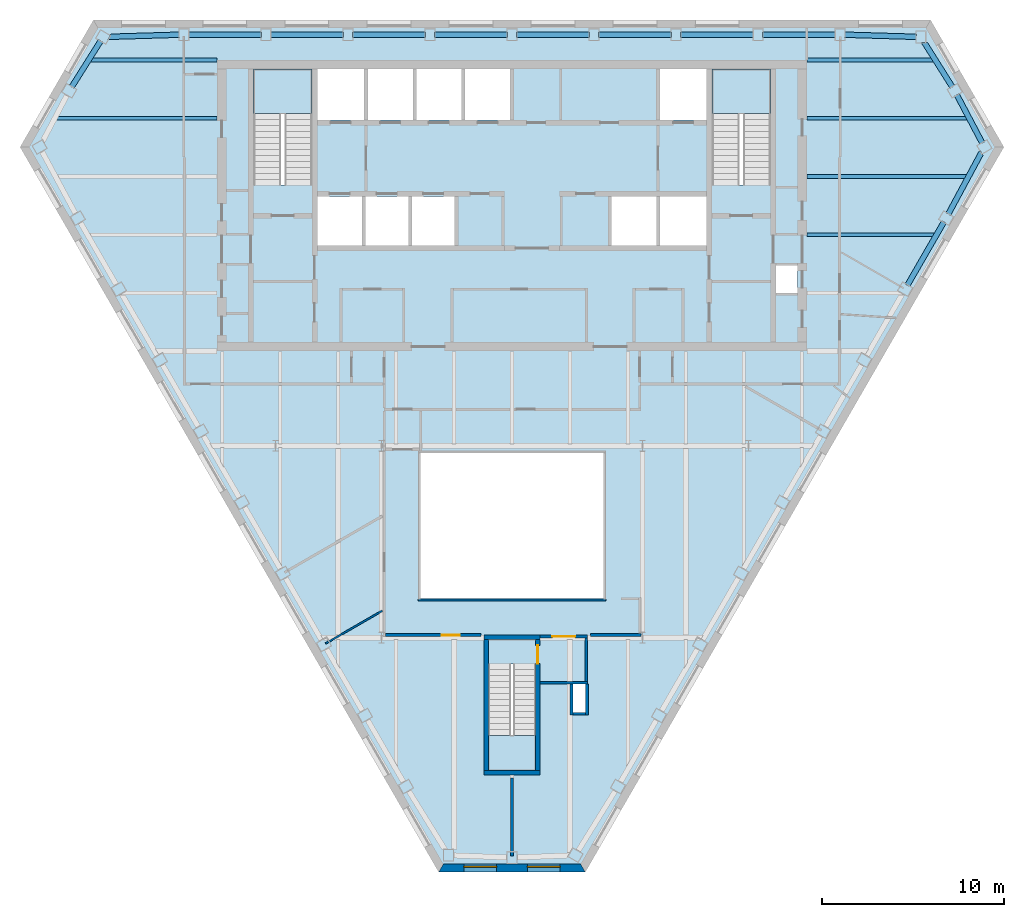
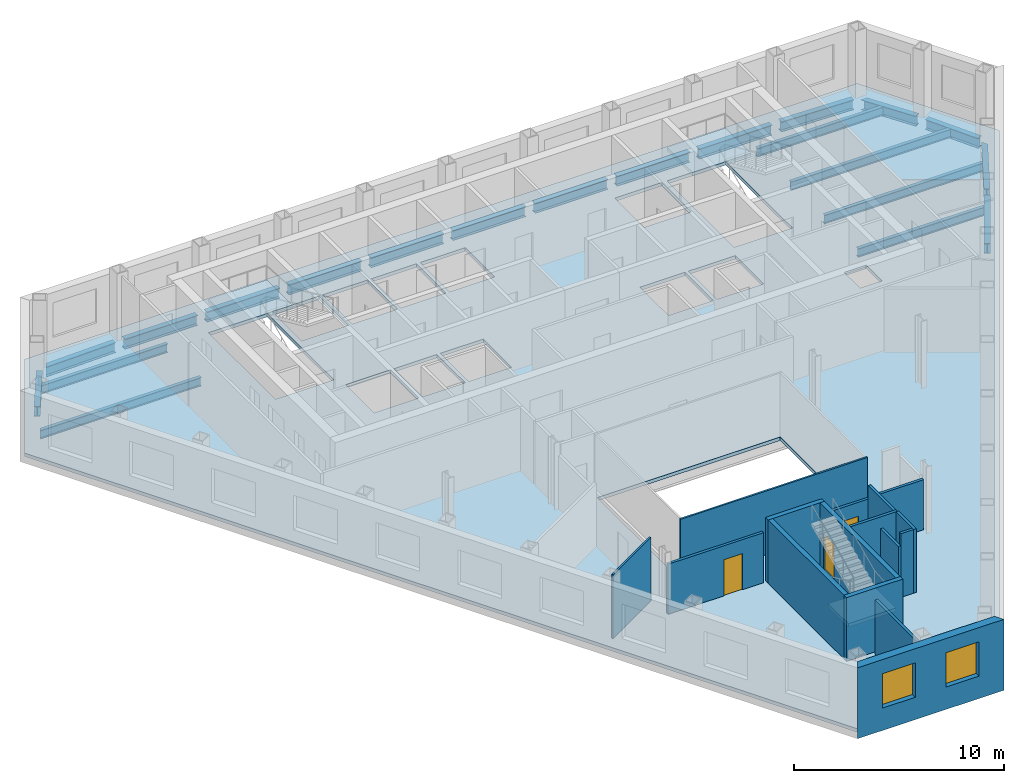
# One storey, part 3 of 11: 21 beams, 16 walls, 4 slabs, 3 doors, 2 windows, 5 openings, 3 elements without a shape of their own.
"""IFC4 building model written with IfcOpenShell, lengths in metres."""

from ifc_helpers import new_model, si_unit, direction, frame, frame_2d, origin, origin_2d, place, context, subcontext, project, spatial, polyline, rectangle, i_section, outline, extrude, clip, halfspace, material, layer, layer_set, material_profile, profile_set, type_object, element, fill, aggregate, save


model = new_model("IFC4")

# Units and contexts
model_context = context("Model", 3, precision=1e-05, world=origin(), true_north=direction((0.0, 1.0)))
body_context = subcontext(model_context, "Body", "Model", "MODEL_VIEW")
ifc_project = project(units=[si_unit("LENGTHUNIT", "METRE"), si_unit("AREAUNIT", "SQUARE_METRE"), si_unit("VOLUMEUNIT", "CUBIC_METRE"), si_unit("PLANEANGLEUNIT", "RADIAN"), si_unit("MASSUNIT", "GRAM", prefix="KILO")], contexts=[model_context])

# Site, building, storey
site_placement = place(None, origin())
site = spatial("IfcSite", under=ifc_project, at=site_placement, CompositionType="ELEMENT")
building_placement = place(site_placement, origin())
building = spatial("IfcBuilding", under=site, at=building_placement, Name="Njiva Tower", CompositionType="ELEMENT")
storey_placement = place(building_placement, frame((0.0, 0.0, 182.7)))
storey = spatial("IfcBuildingStorey", under=building, at=storey_placement, Name="L40", CompositionType="ELEMENT", Elevation=182.7)

# Beams
ifc_material_1 = material(Name="Steel S355 J2", Category="steel")
ifc_material_profile_1 = material_profile(ifc_material_1, i_section(OverallWidth=0.2, OverallDepth=0.5, WebThickness=0.0102, FlangeThickness=0.016, at=origin_2d()), Name="IPE 500")
ifc_profile_set_1 = profile_set([ifc_material_profile_1], Name="Steel S355 J2")
beam_type_1 = type_object("IfcBeamType", Name="B24 Floor beam to the core IPE 500", PredefinedType="BEAM", material=ifc_profile_set_1)
beam_1_placement = place(storey_placement, frame((16.2, 8.4, -0.45), z_axis=(1.0, 0.0, 0.0), x_axis=(0.0, 1.0, 0.0)))
element("IfcBeam", 1, at=beam_1_placement, inside=storey, type_object=beam_type_1, Name="Floor beam to the core S13-B009", PredefinedType="BEAM", context=body_context, shape_type="Clipping", body=[
    clip(extrude(i_section(OverallWidth=0.2, OverallDepth=0.5, WebThickness=0.0102, FlangeThickness=0.016, at=origin_2d()), origin(), (0.0, 0.0, 1.0), 7.091), halfspace(frame((-0.025, 0.0, 6.9986), z_axis=(-0.499998009787, 0.0, 0.866026552831), x_axis=(0.0, 1.0, 0.0)), False)),
])
beam_2_placement = place(storey_placement, frame((16.2, 11.6, -0.45), z_axis=(1.0, 0.0, 0.0), x_axis=(0.0, 1.0, 0.0)))
element("IfcBeam", 2, at=beam_2_placement, inside=storey, type_object=beam_type_1, Name="Floor beam to the core S13-B010", PredefinedType="BEAM", context=body_context, shape_type="Clipping", body=[
    clip(extrude(i_section(OverallWidth=0.2, OverallDepth=0.5, WebThickness=0.0102, FlangeThickness=0.016, at=origin_2d()), origin(), (0.0, 0.0, 1.0), 8.847), halfspace(frame((-0.0237, 0.0, 8.7598), z_axis=(-0.473777178452, 0.0, 0.88064475538), x_axis=(0.0, 1.0, 0.0)), False)),
])
beam_3_placement = place(storey_placement, frame((-25.084, 14.8, -0.45), z_axis=(1.0, 0.0, 0.0), x_axis=(0.0, 1.0, 0.0)))
element("IfcBeam", 3, at=beam_3_placement, inside=storey, type_object=beam_type_1, Name="Floor beam to the core S13-B001", PredefinedType="BEAM", context=body_context, shape_type="Clipping", body=[
    clip(extrude(i_section(OverallWidth=0.2, OverallDepth=0.5, WebThickness=0.0102, FlangeThickness=0.016, at=origin_2d()), origin(), (0.0, 0.0, 1.0), 8.884), halfspace(frame((0.0233, 0.0, 0.0855), z_axis=(0.466638905243, 0.0, -0.884447925043), x_axis=(0.0, -1.0, 0.0)), False)),
])
beam_4_placement = place(storey_placement, frame((16.2, 14.8, -0.45), z_axis=(1.0, 0.0, 0.0), x_axis=(0.0, 1.0, 0.0)))
element("IfcBeam", 4, at=beam_4_placement, inside=storey, type_object=beam_type_1, Name="Floor beam to the core S13-B011", PredefinedType="BEAM", context=body_context, shape_type="Clipping", body=[
    clip(extrude(i_section(OverallWidth=0.2, OverallDepth=0.5, WebThickness=0.0102, FlangeThickness=0.016, at=origin_2d()), origin(), (0.0, 0.0, 1.0), 8.884), halfspace(frame((0.0233, 0.0, 8.7985), z_axis=(0.466638905243, 0.0, 0.884447925043), x_axis=(0.0, 1.0, 0.0)), False)),
])
beam_5_placement = place(storey_placement, frame((-23.228, 18.0, -0.45), z_axis=(1.0, 0.0, 0.0), x_axis=(0.0, 1.0, 0.0)))
element("IfcBeam", 5, at=beam_5_placement, inside=storey, type_object=beam_type_1, Name="Floor beam to the core S13-B004", PredefinedType="BEAM", context=body_context, shape_type="Clipping", body=[
    clip(extrude(i_section(OverallWidth=0.2, OverallDepth=0.5, WebThickness=0.0102, FlangeThickness=0.016, at=origin_2d()), origin(), (0.0, 0.0, 1.0), 7.028), halfspace(frame((0.0266, 0.0, 0.0994), z_axis=(0.532629190564, 0.0, -0.846348713805), x_axis=(0.0, -1.0, 0.0)), False)),
])
beam_6_placement = place(storey_placement, frame((16.2, 18.0, -0.45), z_axis=(1.0, 0.0, 0.0), x_axis=(0.0, 1.0, 0.0)))
element("IfcBeam", 6, at=beam_6_placement, inside=storey, type_object=beam_type_1, Name="Floor beam to the core S13-B012", PredefinedType="BEAM", context=body_context, shape_type="Clipping", body=[
    clip(extrude(i_section(OverallWidth=0.2, OverallDepth=0.5, WebThickness=0.0102, FlangeThickness=0.016, at=origin_2d()), origin(), (0.0, 0.0, 1.0), 7.028), halfspace(frame((0.0266, 0.0, 6.9286), z_axis=(0.532629190564, 0.0, 0.846348713805), x_axis=(0.0, 1.0, 0.0)), False)),
])
ifc_material_profile_2 = material_profile(ifc_material_1, i_section(OverallWidth=0.3, OverallDepth=0.59, WebThickness=0.013, FlangeThickness=0.025, at=origin_2d()), Name="HEA 600")
ifc_profile_set_2 = profile_set([ifc_material_profile_2], Name="Steel S355 J2")
beam_type_2 = type_object("IfcBeamType", Name="B27 Short-span spandrel beam HEA 600", PredefinedType="SPANDREL", material=ifc_profile_set_2)
beam_7_placement = place(storey_placement, frame((22.212, 19.275, -0.495), z_axis=(-0.999555783921, 0.029803268787, 0.0), x_axis=(-0.029803268787, -0.999555783921, 0.0)))
element("IfcBeam", 7, at=beam_7_placement, inside=storey, type_object=beam_type_2, Name="Short-span spandrel beam S13-B142", PredefinedType="SPANDREL", context=body_context, shape_type="SweptSolid", body=[
    extrude(i_section(OverallWidth=0.3, OverallDepth=0.59, WebThickness=0.013, FlangeThickness=0.025, at=origin_2d()), origin(), (0.0, 0.0, 1.0), 3.9257),
])
beam_8_placement = place(storey_placement, frame((17.784, 19.4, -0.495), z_axis=(-1.0, 0.0, 0.0), x_axis=(0.0, -1.0, 0.0)))
element("IfcBeam", 8, at=beam_8_placement, inside=storey, type_object=beam_type_2, Name="Short-span spandrel beam S13-B136", PredefinedType="SPANDREL", context=body_context, shape_type="SweptSolid", body=[
    extrude(i_section(OverallWidth=0.3, OverallDepth=0.59, WebThickness=0.013, FlangeThickness=0.025, at=origin_2d()), origin(), (0.0, 0.0, 1.0), 4.008),
])
beam_9_placement = place(storey_placement, frame((13.276, 19.4, -0.495), z_axis=(-1.0, 0.0, 0.0), x_axis=(0.0, -1.0, 0.0)))
element("IfcBeam", 9, at=beam_9_placement, inside=storey, type_object=beam_type_2, Name="Short-span spandrel beam S13-B130", PredefinedType="SPANDREL", context=body_context, shape_type="SweptSolid", body=[
    extrude(i_section(OverallWidth=0.3, OverallDepth=0.59, WebThickness=0.013, FlangeThickness=0.025, at=origin_2d()), origin(), (0.0, 0.0, 1.0), 4.009),
])
beam_10_placement = place(storey_placement, frame((8.767, 19.4, -0.495), z_axis=(-1.0, 0.0, 0.0), x_axis=(0.0, -1.0, 0.0)))
element("IfcBeam", 10, at=beam_10_placement, inside=storey, type_object=beam_type_2, Name="Short-span spandrel beam S13-B124", PredefinedType="SPANDREL", context=body_context, shape_type="SweptSolid", body=[
    extrude(i_section(OverallWidth=0.3, OverallDepth=0.59, WebThickness=0.013, FlangeThickness=0.025, at=origin_2d()), origin(), (0.0, 0.0, 1.0), 4.008),
])
for number, where, z_axis, x_axis, name in (
    (11, (4.259, 19.4, -0.495), (-1.0, 0.0, 0.0), (0.0, -1.0, 0.0), "Short-span spandrel beam S13-B121"),
    (12, (-0.25, 19.4, -0.495), (-1.0, 0.0, 0.0), (0.0, -1.0, 0.0), "Short-span spandrel beam S13-B116"),
):
    element("IfcBeam", number, at=place(storey_placement, frame(where, z_axis=z_axis, x_axis=x_axis)), inside=storey, type_object=beam_type_2, Name=name, PredefinedType="SPANDREL", context=body_context, shape_type="SweptSolid", body=[
        extrude(i_section(OverallWidth=0.3, OverallDepth=0.59, WebThickness=0.013, FlangeThickness=0.025, at=origin_2d()), origin(), (0.0, 0.0, 1.0), 4.009),
    ])
beam_11_placement = place(storey_placement, frame((-4.759, 19.4, -0.495), z_axis=(-1.0, 0.0, 0.0), x_axis=(0.0, -1.0, 0.0)))
element("IfcBeam", 13, at=beam_11_placement, inside=storey, type_object=beam_type_2, Name="Short-span spandrel beam S13-B111", PredefinedType="SPANDREL", context=body_context, shape_type="SweptSolid", body=[
    extrude(i_section(OverallWidth=0.3, OverallDepth=0.59, WebThickness=0.013, FlangeThickness=0.025, at=origin_2d()), origin(), (0.0, 0.0, 1.0), 4.008),
])
beam_12_placement = place(storey_placement, frame((-9.267, 19.4, -0.495), z_axis=(-1.0, 0.0, 0.0), x_axis=(0.0, -1.0, 0.0)))
element("IfcBeam", 14, at=beam_12_placement, inside=storey, type_object=beam_type_2, Name="Short-span spandrel beam S13-B105", PredefinedType="SPANDREL", context=body_context, shape_type="SweptSolid", body=[
    extrude(i_section(OverallWidth=0.3, OverallDepth=0.59, WebThickness=0.013, FlangeThickness=0.025, at=origin_2d()), origin(), (0.0, 0.0, 1.0), 4.009),
])
beam_13_placement = place(storey_placement, frame((-13.776, 19.4, -0.495), z_axis=(-1.0, 0.0, 0.0), x_axis=(0.0, -1.0, 0.0)))
element("IfcBeam", 15, at=beam_13_placement, inside=storey, type_object=beam_type_2, Name="Short-span spandrel beam S13-B099", PredefinedType="SPANDREL", context=body_context, shape_type="SweptSolid", body=[
    extrude(i_section(OverallWidth=0.3, OverallDepth=0.59, WebThickness=0.013, FlangeThickness=0.025, at=origin_2d()), origin(), (0.0, 0.0, 1.0), 4.008),
])
beam_14_placement = place(storey_placement, frame((-18.288, 19.392, -0.495), z_axis=(-0.999548579163, -0.030043932724, 0.0), x_axis=(0.030043932724, -0.999548579163, 0.0)))
element("IfcBeam", 16, at=beam_14_placement, inside=storey, type_object=beam_type_2, Name="Short-span spandrel beam S13-B093", PredefinedType="SPANDREL", context=body_context, shape_type="Clipping", body=[
    clip(extrude(i_section(OverallWidth=0.3, OverallDepth=0.59, WebThickness=0.013, FlangeThickness=0.025, at=origin_2d()), origin(), (0.0, 0.0, 1.0), 3.9407), halfspace(frame((-0.0268, 0.0, 3.811), z_axis=(-0.525791143758, 0.0, 0.850613703832), x_axis=(0.0, 1.0, 0.0)), False)),
])
beam_15_placement = place(storey_placement, frame((-22.602, 19.051, -0.495), z_axis=(-0.532617672798, -0.846355962124, 0.0), x_axis=(0.846355962124, -0.532617672798, 0.0)))
element("IfcBeam", 17, at=beam_15_placement, inside=storey, type_object=beam_type_2, Name="Short-span spandrel beam S13-B090", PredefinedType="SPANDREL", context=body_context, shape_type="SweptSolid", body=[
    extrude(i_section(OverallWidth=0.3, OverallDepth=0.59, WebThickness=0.013, FlangeThickness=0.025, at=origin_2d()), origin(), (0.0, 0.0, 1.0), 2.9834),
])
beam_16_placement = place(storey_placement, frame((21.728, 5.628, -0.495), z_axis=(0.500003221507, 0.866023543838, 0.0), x_axis=(-0.866023543838, 0.500003221507, 0.0)))
element("IfcBeam", 18, at=beam_16_placement, inside=storey, type_object=beam_type_2, Name="Short-span spandrel beam S13-B146", PredefinedType="SPANDREL", context=body_context, shape_type="SweptSolid", body=[
    extrude(i_section(OverallWidth=0.3, OverallDepth=0.59, WebThickness=0.013, FlangeThickness=0.025, at=origin_2d()), origin(), (0.0, 0.0, 1.0), 4.008),
])
beam_17_placement = place(storey_placement, frame((23.977, 9.539, -0.495), z_axis=(0.473866139808, 0.880596889356, 0.0), x_axis=(-0.880596889356, 0.473866139808, 0.0)))
element("IfcBeam", 19, at=beam_17_placement, inside=storey, type_object=beam_type_2, Name="Short-span spandrel beam S13-B150", PredefinedType="SPANDREL", context=body_context, shape_type="Clipping", body=[
    clip(extrude(i_section(OverallWidth=0.3, OverallDepth=0.59, WebThickness=0.013, FlangeThickness=0.025, at=origin_2d()), origin(), (0.0, 0.0, 1.0), 3.9411), halfspace(frame((-0.0262, 0.0, 3.8115), z_axis=(-0.525688161714, 0.0, 0.850677351664), x_axis=(0.0, 1.0, 0.0)), False)),
])
beam_18_placement = place(storey_placement, frame((25.839, 13.445, -0.495), z_axis=(-0.466809583155, 0.884357853515, 0.0), x_axis=(-0.884357853515, -0.466809583155, 0.0)))
element("IfcBeam", 20, at=beam_18_placement, inside=storey, type_object=beam_type_2, Name="Short-span spandrel beam S13-B151", PredefinedType="SPANDREL", context=body_context, shape_type="SweptSolid", body=[
    extrude(i_section(OverallWidth=0.3, OverallDepth=0.59, WebThickness=0.013, FlangeThickness=0.025, at=origin_2d()), origin(), (0.0, 0.0, 1.0), 2.9841),
])
beam_19_placement = place(storey_placement, frame((24.191, 16.526, -0.495), z_axis=(-0.532583342935, 0.846377565173, 0.0), x_axis=(-0.846377565173, -0.532583342935, 0.0)))
element("IfcBeam", 21, at=beam_19_placement, inside=storey, type_object=beam_type_2, Name="Short-span spandrel beam S13-B147", PredefinedType="SPANDREL", context=body_context, shape_type="Clipping", body=[
    clip(extrude(i_section(OverallWidth=0.3, OverallDepth=0.59, WebThickness=0.013, FlangeThickness=0.025, at=origin_2d()), origin(), (0.0, 0.0, 1.0), 2.9981), halfspace(frame((-0.0267, 0.0, 2.8673), z_axis=(-0.532583342935, 0.0, 0.846377565173), x_axis=(0.0, 1.0, 0.0)), False)),
])

# Stair, slab
ifc_material_2 = material(Name="Concrete C40/50", Category="concrete")
stair_type_1 = type_object("IfcStairType", Name="ST4 Exit stair 1500", PredefinedType="HALF_TURN_STAIR", material=ifc_material_2)
stair_1_placement = place(storey_placement, origin())
stair_1 = element("IfcStair", 22, at=stair_1_placement, inside=storey, type_object=stair_type_1, Name="Stair A", PredefinedType="HALF_TURN_STAIR")
ifc_layer_1 = layer(ifc_material_2, 0.2)
ifc_layer_set_1 = layer_set([ifc_layer_1], Name="Concrete C40/50")
slab_type_1 = type_object("IfcSlabType", Name="FL9 Stair landing 200", PredefinedType="LANDING", material=ifc_layer_set_1)
slab_1_placement = place(storey_placement, frame((0.0, 0.0, 1.75)))
slab_1 = element("IfcSlab", 23, at=slab_1_placement, type_object=slab_type_1, Name="ST-A landing 1", PredefinedType="LANDING", context=body_context, shape_type="SweptSolid", body=[
    extrude(outline(polyline([(-14.206, 15.06), (-10.994, 15.06), (-10.994, 17.5), (-14.206, 17.5), (-14.206, 15.06)])), origin(), (0.0, 0.0, 1.0), 0.2),
])
aggregate(stair_1, [slab_1])

stair_2_placement = place(storey_placement, origin())
stair_2 = element("IfcStair", 24, at=stair_2_placement, inside=storey, type_object=stair_type_1, Name="Stair B", PredefinedType="HALF_TURN_STAIR")
slab_2_placement = place(storey_placement, frame((0.0, 0.0, 1.75)))
slab_2 = element("IfcSlab", 25, at=slab_2_placement, type_object=slab_type_1, Name="ST-B landing 1", PredefinedType="LANDING", context=body_context, shape_type="SweptSolid", body=[
    extrude(outline(polyline([(10.994, 15.06), (14.206, 15.06), (14.206, 17.5), (10.994, 17.5), (10.994, 15.06)])), origin(), (0.0, 0.0, 1.0), 0.2),
])
aggregate(stair_2, [slab_2])

stair_type_2 = type_object("IfcStairType", Name="ST1 Exit stair 1250", PredefinedType="HALF_TURN_STAIR", material=ifc_material_2)
stair_3_placement = place(storey_placement, origin())
stair_3 = element("IfcStair", 26, at=stair_3_placement, inside=storey, type_object=stair_type_2, Name="Stair C", PredefinedType="HALF_TURN_STAIR")
slab_3_placement = place(storey_placement, frame((0.0, 0.0, 1.75)))
slab_3 = element("IfcSlab", 27, at=slab_3_placement, type_object=slab_type_1, Name="ST-C landing 1", PredefinedType="LANDING", context=body_context, shape_type="SweptSolid", body=[
    extrude(outline(polyline([(-1.306, -21.05), (1.306, -21.05), (1.306, -19.12), (-1.306, -19.12), (-1.306, -21.05)])), origin(), (0.0, 0.0, 1.0), 0.2),
])
aggregate(stair_3, [slab_3])

# Slab
ifc_material_3 = material(Name="Concrete C30/37", Category="concrete")
ifc_layer_2 = layer(ifc_material_3, 0.2)
ifc_layer_set_2 = layer_set([ifc_layer_2], Name="Concrete C30/37")
slab_type_2 = type_object("IfcSlabType", Name="SL16 Composite floor slab 200", PredefinedType="FLOOR", material=ifc_layer_set_2)
slab_4_placement = place(storey_placement, frame((0.0, 0.0, -0.2)))
element("IfcSlab", 28, at=slab_4_placement, inside=storey, type_object=slab_type_2, Name="Floor slab L40", PredefinedType="FLOOR", context=body_context, shape_type="SweptSolid", body=[
    extrude(outline(polyline([(26.7752, 13.2198), (3.9001, -26.401), (-3.9001, -26.401), (-26.7752, 13.2198), (-22.8751, 19.975), (22.8751, 19.975), (26.7752, 13.2198)]), holes=[polyline([(14.5, 5.2), (15.7, 5.2), (15.7, 6.7), (14.5, 6.7), (14.5, 5.2)]), polyline([(10.994, 11.13), (14.206, 11.13), (14.206, 17.5), (10.994, 17.5), (10.994, 11.13)]), polyline([(8.125, 14.7), (10.7, 14.7), (10.7, 17.5), (8.125, 17.5), (8.125, 14.7)]), polyline([(8.1333, 7.8), (10.7, 7.8), (10.7, 10.5), (8.1333, 10.5), (8.1333, 7.8)]), polyline([(5.4667, 7.8), (7.9333, 7.8), (7.9333, 10.5), (5.4667, 10.5), (5.4667, 7.8)]), polyline([(5.02, -11.6), (5.02, -3.6), (-5.02, -3.6), (-5.02, -11.6), (5.02, -11.6)]), polyline([(3.35, -17.85), (4.05, -17.85), (4.05, -16.3), (3.35, -16.3), (3.35, -17.85)]), polyline([(-1.306, -21.05), (1.306, -21.05), (1.306, -15.19), (-1.306, -15.19), (-1.306, -21.05)]), polyline([(-2.575, 14.7), (-0.1, 14.7), (-0.1, 17.5), (-2.575, 17.5), (-2.575, 14.7)]), polyline([(-5.25, 14.7), (-2.775, 14.7), (-2.775, 17.5), (-5.25, 17.5), (-5.25, 14.7)]), polyline([(-5.5, 7.8), (-3.15, 7.8), (-3.15, 10.5), (-5.5, 10.5), (-5.5, 7.8)]), polyline([(-7.925, 14.7), (-5.45, 14.7), (-5.45, 17.5), (-7.925, 17.5), (-7.925, 14.7)]), polyline([(-8.05, 7.8), (-5.7, 7.8), (-5.7, 10.5), (-8.05, 10.5), (-8.05, 7.8)]), polyline([(-10.7, 14.7), (-8.125, 14.7), (-8.125, 17.5), (-10.7, 17.5), (-10.7, 14.7)]), polyline([(-10.7, 7.8), (-8.25, 7.8), (-8.25, 10.5), (-10.7, 10.5), (-10.7, 7.8)]), polyline([(-14.206, 11.13), (-10.994, 11.13), (-10.994, 17.5), (-14.206, 17.5), (-14.206, 11.13)])]), origin(), (0.0, 0.0, 1.0), 0.2),
])

# Wall
ifc_material_4 = material(Name="Gypsum board on steel studs", Category="gypsum")
ifc_layer_3 = layer(ifc_material_4, 0.1)
ifc_layer_set_3 = layer_set([ifc_layer_3], Name="Gypsum board on steel studs")
wall_type_1 = type_object("IfcWallType", Name="WT20 Gypsum partition 100", PredefinedType="PARTITIONING", material=ifc_layer_set_3)
wall_1_placement = place(storey_placement, frame((-10.244, -14.062, 0.0), z_axis=(0.0, 0.0, 1.0), x_axis=(0.866102493935, 0.499866452165, 0.0)))
element("IfcWall", 29, at=wall_1_placement, inside=storey, type_object=wall_type_1, Name="Partition S13-P007", PredefinedType="PARTITIONING", context=body_context, shape_type="SweptSolid", body=[
    extrude(rectangle(XDim=3.607, YDim=0.1, at=frame_2d((1.8035, 0.0))), origin(), (0.0, 0.0, 1.0), 3.7),
])

# Wall, opening, door
ifc_layer_4 = layer(ifc_material_4, 0.15)
ifc_layer_set_4 = layer_set([ifc_layer_4], Name="Gypsum board on steel studs")
wall_type_2 = type_object("IfcWallType", Name="WT21 Compartment wall 150", PredefinedType="PARTITIONING", material=ifc_layer_set_4)
wall_2_placement = place(storey_placement, frame((-6.945, -13.6, 0.0), z_axis=(0.0, 0.0, 1.0), x_axis=(1.0, 0.0, 0.0)))
wall_2 = element("IfcWall", 30, at=wall_2_placement, inside=storey, type_object=wall_type_2, Name="Partition S13-P013", PredefinedType="PARTITIONING", context=body_context, shape_type="SweptSolid", body=[
    extrude(rectangle(XDim=5.245, YDim=0.15, at=frame_2d((2.6225, 0.0))), origin(), (0.0, 0.0, 1.0), 2.91),
])
opening_1_placement = place(wall_2_placement, frame((3.079, 0.0, 0.0)))
opening_1 = element("IfcOpeningElement", 31, at=opening_1_placement, cuts=wall_2, Name="Opening S13-D008", PredefinedType="OPENING", context=body_context, shape_type="SweptSolid", body=[
    extrude(rectangle(XDim=1.0, YDim=2.1, at=frame_2d((0.5, 1.05))), frame((0.0, 0.085, 0.0), z_axis=(0.0, -1.0, 0.0), x_axis=(1.0, 0.0, 0.0)), (0.0, 0.0, 1.0), 0.17),
])
ifc_material_5 = material(Name="Steel fire door set", Category="steel")
door_type_1 = type_object("IfcDoorType", Name="D37 Fire door 1000x2100", OperationType="SINGLE_SWING_LEFT", PredefinedType="DOOR", material=ifc_material_5)
door_1_placement = place(opening_1_placement, origin())
door_1 = element("IfcDoor", 32, at=door_1_placement, inside=storey, type_object=door_type_1, Name="Door S13-D008", OperationType="SINGLE_SWING_RIGHT", OverallHeight=2.1, OverallWidth=1.0, PredefinedType="DOOR", context=body_context, shape_type="SweptSolid", body=[
    extrude(rectangle(XDim=1.0, YDim=2.1, at=frame_2d((0.5, 1.05))), frame((0.0, 0.025, 0.0), z_axis=(0.0, -1.0, 0.0), x_axis=(1.0, 0.0, 0.0)), (0.0, 0.0, 1.0), 0.05),
])
fill(opening_1, door_1)

# Walls
wall_3_placement = place(storey_placement, frame((0.0, -25.726, 0.0), z_axis=(0.0, 0.0, 1.0), x_axis=(0.0, 1.0, 0.0)))
element("IfcWall", 33, at=wall_3_placement, inside=storey, type_object=wall_type_2, Name="Partition S13-P016", PredefinedType="PARTITIONING", context=body_context, shape_type="SweptSolid", body=[
    extrude(rectangle(XDim=4.276, YDim=0.15, at=frame_2d((2.138, 0.0))), origin(), (0.0, 0.0, 1.0), 3.15),
])
wall_4_placement = place(storey_placement, frame((4.3, -13.6, 0.0), z_axis=(0.0, 0.0, 1.0), x_axis=(1.0, 0.0, 0.0)))
element("IfcWall", 34, at=wall_4_placement, inside=storey, type_object=wall_type_2, Name="Partition S13-P017", PredefinedType="PARTITIONING", context=body_context, shape_type="SweptSolid", body=[
    extrude(rectangle(XDim=2.795, YDim=0.15, at=frame_2d((1.3975, 0.0))), origin(), (0.0, 0.0, 1.0), 2.91),
])
ifc_material_6 = material(Name="Blockwork", Category="masonry")
ifc_layer_5 = layer(ifc_material_6, 0.15)
ifc_layer_set_5 = layer_set([ifc_layer_5], Name="Blockwork")
wall_type_3 = type_object("IfcWallType", Name="WT4 Stair partition 150", PredefinedType="PARTITIONING", material=ifc_layer_set_5)
wall_5_placement = place(storey_placement, frame((1.55, -16.225, 0.0), z_axis=(0.0, 0.0, 1.0), x_axis=(1.0, 0.0, 0.0)))
element("IfcWall", 35, at=wall_5_placement, inside=storey, type_object=wall_type_3, Name="Stair C vestibule wall south", PredefinedType="PARTITIONING", context=body_context, shape_type="SweptSolid", body=[
    extrude(rectangle(XDim=2.6, YDim=0.15, at=frame_2d((1.3, 0.0))), origin(), (0.0, 0.0, 1.0), 3.7),
])
wall_6_placement = place(storey_placement, frame((4.075, -16.15, 0.0), z_axis=(0.0, 0.0, 1.0), x_axis=(0.0, 1.0, 0.0)))
element("IfcWall", 36, at=wall_6_placement, inside=storey, type_object=wall_type_3, Name="Stair C vestibule wall east", PredefinedType="PARTITIONING", context=body_context, shape_type="SweptSolid", body=[
    extrude(rectangle(XDim=2.4, YDim=0.15, at=frame_2d((1.2, 0.0))), origin(), (0.0, 0.0, 1.0), 3.7),
])

# Wall, opening, door
wall_7_placement = place(storey_placement, frame((1.55, -13.675, 0.0), z_axis=(0.0, 0.0, 1.0), x_axis=(1.0, 0.0, 0.0)))
wall_7 = element("IfcWall", 37, at=wall_7_placement, inside=storey, type_object=wall_type_3, Name="Stair C vestibule wall north", PredefinedType="PARTITIONING", context=body_context, shape_type="SweptSolid", body=[
    extrude(rectangle(XDim=2.6, YDim=0.15, at=frame_2d((1.3, 0.0))), origin(), (0.0, 0.0, 1.0), 2.91),
])
opening_2_placement = place(wall_7_placement, frame((0.675, 0.0, 0.0)))
opening_2 = element("IfcOpeningElement", 38, at=opening_2_placement, cuts=wall_7, Name="Opening S13-D940", PredefinedType="OPENING", context=body_context, shape_type="SweptSolid", body=[
    extrude(rectangle(XDim=1.25, YDim=2.1, at=frame_2d((0.625, 1.05))), frame((0.0, 0.085, 0.0), z_axis=(0.0, -1.0, 0.0), x_axis=(1.0, 0.0, 0.0)), (0.0, 0.0, 1.0), 0.17),
])
ifc_material_7 = material(Name="Glazed steel fire door", Category="steel")
door_type_2 = type_object("IfcDoorType", Name="D8 Vestibule corridor door 1250x2100 glazed", OperationType="SINGLE_SWING_LEFT", PredefinedType="DOOR", material=ifc_material_7)
door_2_placement = place(opening_2_placement, origin())
door_2 = element("IfcDoor", 39, at=door_2_placement, inside=storey, type_object=door_type_2, Name="Stair vestibule corridor door", OperationType="SINGLE_SWING_RIGHT", OverallHeight=2.1, OverallWidth=1.25, PredefinedType="DOOR", context=body_context, shape_type="SweptSolid", body=[
    extrude(rectangle(XDim=1.25, YDim=2.1, at=frame_2d((0.625, 1.05))), frame((0.0, 0.025, 0.0), z_axis=(0.0, -1.0, 0.0), x_axis=(1.0, 0.0, 0.0)), (0.0, 0.0, 1.0), 0.05),
])
fill(opening_2, door_2)

# Walls
wall_8_placement = place(storey_placement, frame((3.275, -18.0, 0.0), z_axis=(0.0, 0.0, 1.0), x_axis=(0.0, 1.0, 0.0)))
element("IfcWall", 40, at=wall_8_placement, inside=storey, type_object=wall_type_3, Name="Stair C pressurisation shaft wall", PredefinedType="PARTITIONING", context=body_context, shape_type="SweptSolid", body=[
    extrude(rectangle(XDim=1.7, YDim=0.15, at=frame_2d((0.85, 0.0))), origin(), (0.0, 0.0, 1.0), 3.01),
])
wall_9_placement = place(storey_placement, frame((3.35, -17.925, 0.0), z_axis=(0.0, 0.0, 1.0), x_axis=(1.0, 0.0, 0.0)))
element("IfcWall", 41, at=wall_9_placement, inside=storey, type_object=wall_type_3, Name="Stair C pressurisation shaft wall", PredefinedType="PARTITIONING", context=body_context, shape_type="SweptSolid", body=[
    extrude(rectangle(XDim=0.7, YDim=0.15, at=frame_2d((0.35, 0.0))), origin(), (0.0, 0.0, 1.0), 3.7),
])
wall_10_placement = place(storey_placement, frame((4.125, -18.0, 0.0), z_axis=(0.0, 0.0, 1.0), x_axis=(0.0, 1.0, 0.0)))
element("IfcWall", 42, at=wall_10_placement, inside=storey, type_object=wall_type_3, Name="Stair C pressurisation shaft wall", PredefinedType="PARTITIONING", context=body_context, shape_type="SweptSolid", body=[
    extrude(rectangle(XDim=1.7, YDim=0.15, at=frame_2d((0.85, 0.0))), origin(), (0.0, 0.0, 1.0), 3.7),
])
ifc_layer_6 = layer(ifc_material_2, 0.25)
ifc_layer_set_6 = layer_set([ifc_layer_6], Name="Concrete C40/50")
wall_type_4 = type_object("IfcWallType", Name="WT9 Stair enclosure wall 250", PredefinedType="SHEAR", material=ifc_layer_set_6)
wall_11_placement = place(storey_placement, frame((-1.425, -21.05, 0.0), z_axis=(0.0, 0.0, 1.0), x_axis=(0.0, 1.0, 0.0)))
element("IfcWall", 43, at=wall_11_placement, inside=storey, type_object=wall_type_4, Name="Stair C wall west", PredefinedType="SHEAR", context=body_context, shape_type="SweptSolid", body=[
    extrude(rectangle(XDim=7.2, YDim=0.25, at=frame_2d((3.6, 0.0))), origin(), (0.0, 0.0, 1.0), 3.7),
])

# Wall, opening, door
wall_12_placement = place(storey_placement, frame((1.425, -21.05, 0.0), z_axis=(0.0, 0.0, 1.0), x_axis=(0.0, 1.0, 0.0)))
wall_12 = element("IfcWall", 44, at=wall_12_placement, inside=storey, type_object=wall_type_4, Name="Stair C wall east", PredefinedType="SHEAR", context=body_context, shape_type="SweptSolid", body=[
    extrude(rectangle(XDim=7.2, YDim=0.25, at=frame_2d((3.6, 0.0))), origin(), (0.0, 0.0, 1.0), 3.7),
])
opening_3_placement = place(wall_12_placement, frame((5.89, 0.0, 0.0)))
opening_3 = element("IfcOpeningElement", 45, at=opening_3_placement, cuts=wall_12, Name="Opening S13-D939", PredefinedType="OPENING", context=body_context, shape_type="SweptSolid", body=[
    extrude(rectangle(XDim=1.0, YDim=2.1, at=frame_2d((0.5, 1.05))), frame((0.0, 0.135, 0.0), z_axis=(0.0, -1.0, 0.0), x_axis=(1.0, 0.0, 0.0)), (0.0, 0.0, 1.0), 0.27),
])
door_type_3 = type_object("IfcDoorType", Name="D9 Stair vestibule door 1000x2100 glazed", OperationType="SINGLE_SWING_LEFT", PredefinedType="DOOR", material=ifc_material_7)
door_3_placement = place(opening_3_placement, origin())
door_3 = element("IfcDoor", 46, at=door_3_placement, inside=storey, type_object=door_type_3, Name="Stair C door", OperationType="SINGLE_SWING_LEFT", OverallHeight=2.1, OverallWidth=1.0, PredefinedType="DOOR", context=body_context, shape_type="SweptSolid", body=[
    extrude(rectangle(XDim=1.0, YDim=2.1, at=frame_2d((0.5, 1.05))), frame((0.0, 0.025, 0.0), z_axis=(0.0, -1.0, 0.0), x_axis=(1.0, 0.0, 0.0)), (0.0, 0.0, 1.0), 0.05),
])
fill(opening_3, door_3)

# Walls
for number, where, z_axis, x_axis, name in (
    (47, (-1.55, -21.175, 0.0), (0.0, 0.0, 1.0), (1.0, 0.0, 0.0), "Stair C wall south"),
    (48, (-1.55, -13.725, 0.0), (0.0, 0.0, 1.0), (1.0, 0.0, 0.0), "Stair C wall north"),
):
    element("IfcWall", number, at=place(storey_placement, frame(where, z_axis=z_axis, x_axis=x_axis)), inside=storey, type_object=wall_type_4, Name=name, PredefinedType="SHEAR", context=body_context, shape_type="SweptSolid", body=[
        extrude(rectangle(XDim=3.1, YDim=0.25, at=frame_2d((1.55, 0.0))), origin(), (0.0, 0.0, 1.0), 3.7),
    ])

# Wall, openings, windows
ifc_material_8 = material(Name="Brick masonry, buff", Category="masonry")
ifc_layer_7 = layer(ifc_material_8, 0.45)
ifc_layer_set_7 = layer_set([ifc_layer_7], Name="Brick masonry, buff")
wall_type_5 = type_object("IfcWallType", Name="WT94 Brick pier and spandrel wall 450, buff", PredefinedType="SOLIDWALL", material=ifc_layer_set_7)
wall_13_placement = place(storey_placement, frame((-3.9001, -26.401, -0.4), z_axis=(0.0, 0.0, 1.0), x_axis=(1.0, 0.0, 0.0)))
wall_13 = element("IfcWall", 49, at=wall_13_placement, inside=storey, type_object=wall_type_5, Name="Facade wall S", PredefinedType="SOLIDWALL", context=body_context, shape_type="SweptSolid", body=[
    extrude(outline(polyline([(-0.1299, -0.225), (7.9301, -0.225), (7.6703, 0.225), (0.1299, 0.225), (-0.1299, -0.225)])), origin(), (0.0, 0.0, 1.0), 4.12),
])
opening_4_placement = place(wall_13_placement, frame((1.2544, 0.0, 1.3)))
opening_4 = element("IfcOpeningElement", 50, at=opening_4_placement, cuts=wall_13, Name="Opening S13-W22", PredefinedType="OPENING", context=body_context, shape_type="SweptSolid", body=[
    extrude(rectangle(XDim=1.8, YDim=2.0, at=frame_2d((0.9, 1.0))), frame((0.0, 0.235, 0.0), z_axis=(0.0, -1.0, 0.0), x_axis=(1.0, 0.0, 0.0)), (0.0, 0.0, 1.0), 0.47),
])
opening_5_placement = place(wall_13_placement, frame((4.7457, 0.0, 1.3)))
opening_5 = element("IfcOpeningElement", 51, at=opening_5_placement, cuts=wall_13, Name="Opening S13-W23", PredefinedType="OPENING", context=body_context, shape_type="SweptSolid", body=[
    extrude(rectangle(XDim=1.8, YDim=2.0, at=frame_2d((0.9, 1.0))), frame((0.0, 0.235, 0.0), z_axis=(0.0, -1.0, 0.0), x_axis=(1.0, 0.0, 0.0)), (0.0, 0.0, 1.0), 0.47),
])
ifc_material_9 = material(Name="Clear glazing in aluminium frame", Category="aluminium")
window_type = type_object("IfcWindowType", Name="W94 Deep-set window 1800x2000", PartitioningType="SINGLE_PANEL", PredefinedType="WINDOW", material=ifc_material_9)
window_1_placement = place(opening_4_placement, origin())
window_1 = element("IfcWindow", 52, at=window_1_placement, inside=storey, type_object=window_type, Name="Window", OverallHeight=2.0, OverallWidth=1.8, PartitioningType="SINGLE_PANEL", PredefinedType="WINDOW", context=body_context, shape_type="SweptSolid", body=[
    extrude(rectangle(XDim=1.8, YDim=2.0, at=frame_2d((0.9, 1.0))), frame((0.0, 0.105, 0.0), z_axis=(0.0, -1.0, 0.0), x_axis=(1.0, 0.0, 0.0)), (0.0, 0.0, 1.0), 0.06),
])
fill(opening_4, window_1)
window_2_placement = place(opening_5_placement, origin())
window_2 = element("IfcWindow", 53, at=window_2_placement, inside=storey, type_object=window_type, Name="Window", OverallHeight=2.0, OverallWidth=1.8, PartitioningType="SINGLE_PANEL", PredefinedType="WINDOW", context=body_context, shape_type="SweptSolid", body=[
    extrude(rectangle(XDim=1.8, YDim=2.0, at=frame_2d((0.9, 1.0))), frame((0.0, 0.105, 0.0), z_axis=(0.0, -1.0, 0.0), x_axis=(1.0, 0.0, 0.0)), (0.0, 0.0, 1.0), 0.06),
])
fill(opening_5, window_2)

# Wall
ifc_material_10 = material(Name="Fire-resisting glazing EI 90", Category="glass")
ifc_layer_8 = layer(ifc_material_10, 0.1)
ifc_layer_set_8 = layer_set([ifc_layer_8], Name="Fire-resisting glazing EI 90")
wall_type_6 = type_object("IfcWallType", Name="WT95 Fire-resisting glazed screen EI 90", PredefinedType="PARTITIONING", material=ifc_layer_set_8)
wall_14_placement = place(storey_placement, frame((-5.14, -11.67, 0.0), z_axis=(0.0, 0.0, 1.0), x_axis=(1.0, 0.0, 0.0)))
element("IfcWall", 54, at=wall_14_placement, inside=storey, type_object=wall_type_6, Name="Atrium fire screen south", PredefinedType="PARTITIONING", context=body_context, shape_type="SweptSolid", body=[
    extrude(rectangle(XDim=10.28, YDim=0.1, at=frame_2d((5.14, 0.0))), origin(), (0.0, 0.0, 1.0), 3.7),
])

save(model, "model.ifc")
